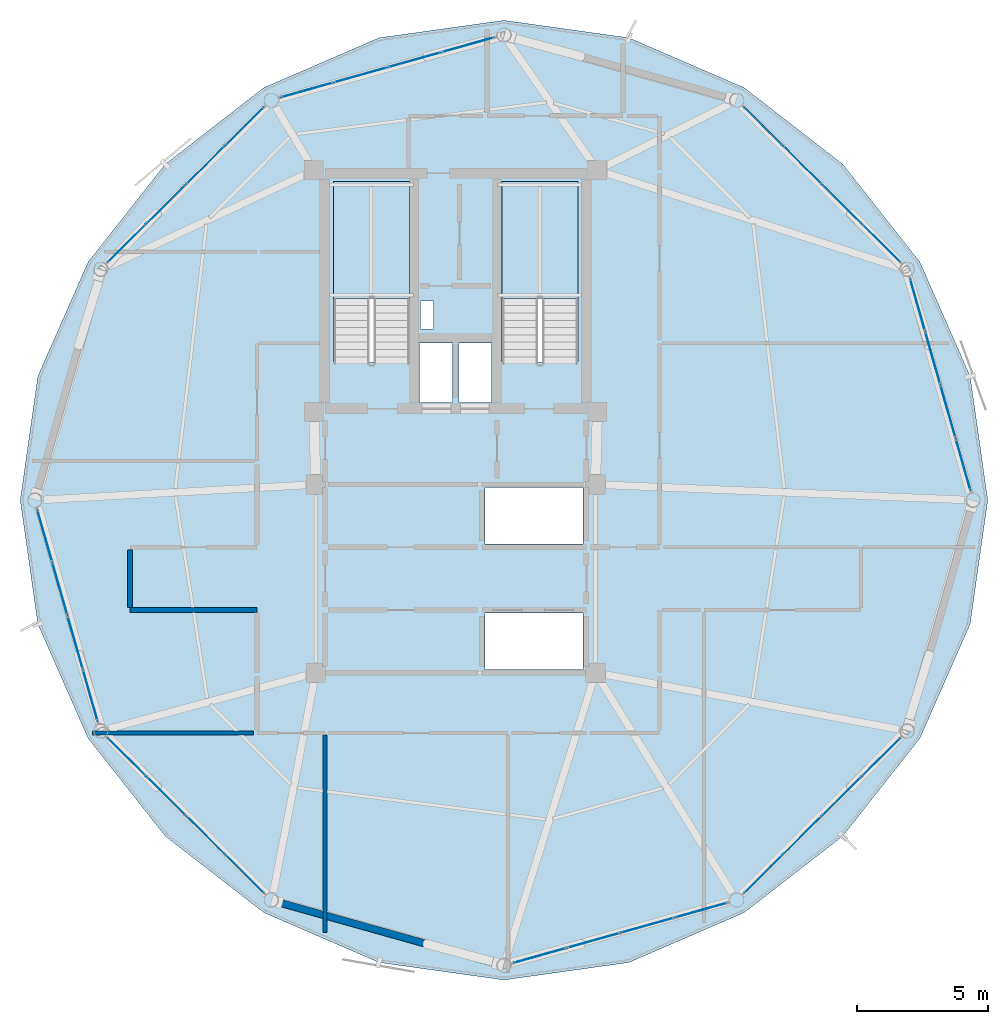
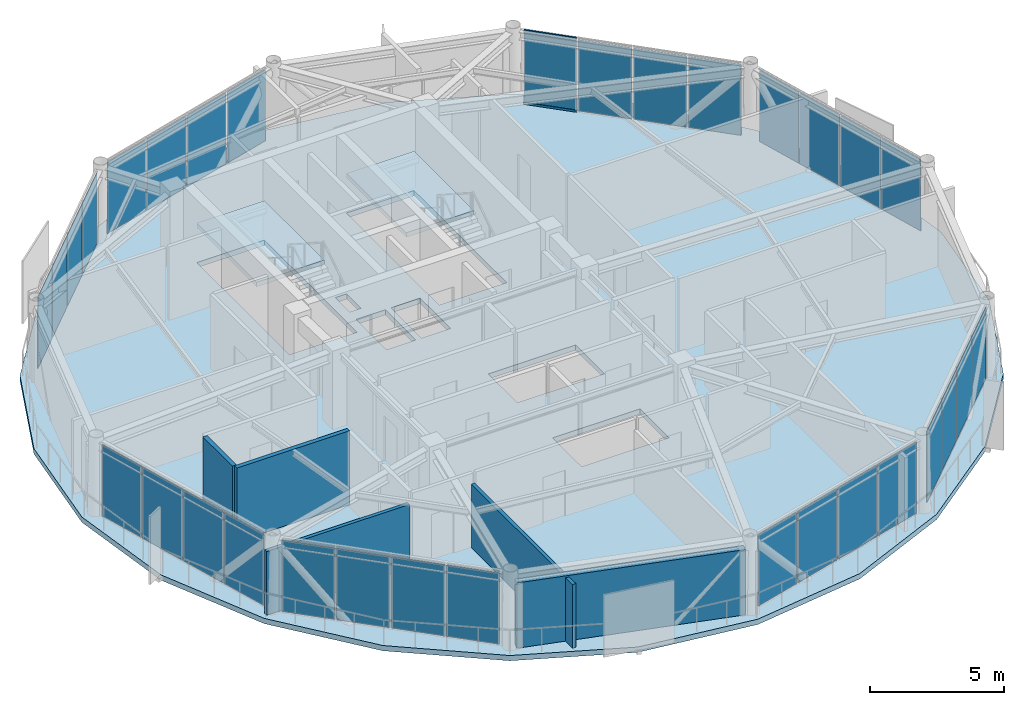
# One storey, part 18 of 25: 32 plates, 5 walls, 3 slabs, 2 members, 10 elements without a shape of their own.
"""IFC4 building model written with IfcOpenShell, lengths in metres."""

from ifc_helpers import new_model, si_unit, direction, frame, frame_2d, origin, origin_2d, place, context, subcontext, project, spatial, polyline, rectangle, hollow_rectangle, outline, extrude, source, transform, mapped, material, layer, layer_set, material_profile, profile_set, type_object, type_shapes, element, aggregate, save


model = new_model("IFC4")

# Units and contexts
model_context = context("Model", 3, precision=1e-05, world=origin(), true_north=direction((0.0, 1.0)))
body_context = subcontext(model_context, "Body", "Model", "MODEL_VIEW")
ifc_project = project(units=[si_unit("LENGTHUNIT", "METRE"), si_unit("AREAUNIT", "SQUARE_METRE"), si_unit("VOLUMEUNIT", "CUBIC_METRE"), si_unit("PLANEANGLEUNIT", "RADIAN"), si_unit("MASSUNIT", "GRAM", prefix="KILO")], contexts=[model_context])

# Site, building, storey
site_placement = place(None, origin())
site = spatial("IfcSite", under=ifc_project, at=site_placement, CompositionType="ELEMENT")
building_placement = place(site_placement, origin())
building = spatial("IfcBuilding", under=site, at=building_placement, Name="Varnakorn Sky Granary", CompositionType="ELEMENT")
storey_placement = place(building_placement, frame((0.0, 0.0, 277.800048828125)))
storey = spatial("IfcBuildingStorey", under=building, at=storey_placement, Name="L71", CompositionType="ELEMENT", Elevation=277.800048828125)

# Curtain wall, members
ifc_material_1 = material(Name="Anodised Bronze Aluminium Alloy 6063-T6", Category="aluminium")
ifc_layer_1 = layer(ifc_material_1, 0.159912109375, Name="Anodised Bronze Aluminium Alloy 6063-T6")
ifc_layer_set_1 = layer_set([ifc_layer_1], Name="Anodised Bronze Aluminium Alloy 6063-T6")
curtain_wall_type = type_object("IfcCurtainWallType", Name="CW-OFF-1", PredefinedType="USERDEFINED", material=ifc_layer_set_1)
curtain_wall_1_placement = place(storey_placement, origin())
curtain_wall_1 = element("IfcCurtainWall", 1, at=curtain_wall_1_placement, inside=storey, type_object=curtain_wall_type, Name="Unitised Curtain Wall CW6 CW-L71-B02", ObjectType="CURTAIN WALL", PredefinedType="USERDEFINED")
ifc_material_profile = material_profile(ifc_material_1, hollow_rectangle(XDim=0.06494140625, YDim=0.1201171875, WallThickness=0.00341796875, at=origin_2d()), Name="ALU TRAN 65x120")
ifc_profile_set = profile_set([ifc_material_profile], Name="Anodised Bronze Aluminium Alloy 6063-T6")
member_type = type_object("IfcMemberType", Name="CW-OFF-1-TRAN", PredefinedType="USERDEFINED", material=ifc_profile_set)
member_1_placement = place(storey_placement, frame((14.046142578125, 15.015380859375, 0.032470703125), z_axis=(0.71010880712, -0.704091955678, 0.0), x_axis=(0.704091955678, 0.71010880712, 0.0)))
member_1 = element("IfcMember", 2, at=member_1_placement, type_object=member_type, Name="CW6 transom 1.1", ObjectType="TRANSOM", PredefinedType="USERDEFINED", context=body_context, shape_type="SweptSolid", body=[
    extrude(hollow_rectangle(XDim=0.06494140625, YDim=0.1201171875, WallThickness=0.00341796875, at=origin_2d()), origin(), (0.0, 0.0, 1.0), 2.02880859375),
])
member_2_placement = place(storey_placement, frame((14.046142578125, 15.015380859375, 3.327392578125), z_axis=(0.71010880712, -0.704091955678, 0.0), x_axis=(0.704091955678, 0.71010880712, 0.0)))
member_2 = element("IfcMember", 3, at=member_2_placement, type_object=member_type, Name="CW6 transom 1.2", ObjectType="TRANSOM", PredefinedType="USERDEFINED", context=body_context, shape_type="SweptSolid", body=[
    extrude(hollow_rectangle(XDim=0.06494140625, YDim=0.1201171875, WallThickness=0.00341796875, at=origin_2d()), origin(), (0.0, 0.0, 1.0), 2.02880859375),
])

# Stair, slab
ifc_material_2 = material(Name="Concrete C40/50", Category="concrete")
stair_type = type_object("IfcStairType", Name="ST-MAIN-ASSEMBLY", PredefinedType="HALF_TURN_STAIR", material=ifc_material_2)
stair_1_placement = place(storey_placement, origin())
stair_1 = element("IfcStair", 4, at=stair_1_placement, inside=storey, type_object=stair_type, Name="L71 Protected Exit Stair ST-1", PredefinedType="HALF_TURN_STAIR")
ifc_layer_2 = layer(ifc_material_2, 0.199951171875, Name="Concrete C40/50")
ifc_layer_set_2 = layer_set([ifc_layer_2], Name="Concrete C40/50")
slab_type_1 = type_object("IfcSlabType", Name="ST-MAIN-LAND", PredefinedType="LANDING", material=ifc_layer_set_2)
slab_1_placement = place(storey_placement, frame((0.0, 0.0, 1.599853515625)))
slab_1 = element("IfcSlab", 5, at=slab_1_placement, type_object=slab_type_1, Name="ST-1 landing 1", PredefinedType="LANDING", context=body_context, shape_type="SweptSolid", body=[
    extrude(outline(polyline([(1.239990234375, 7.719970703125), (1.239990234375, 12.179931640625), (-1.669921875, 12.179931640625), (-1.669921875, 7.719970703125), (1.239990234375, 7.719970703125)])), origin(), (0.0, 0.0, 1.0), 0.2001953125),
])
aggregate(stair_1, [slab_1])

stair_2_placement = place(storey_placement, origin())
stair_2 = element("IfcStair", 6, at=stair_2_placement, inside=storey, type_object=stair_type, Name="L71 Protected Exit Stair ST-2", PredefinedType="HALF_TURN_STAIR")
slab_2_placement = place(storey_placement, frame((0.0, 0.0, 1.599853515625)))
slab_2 = element("IfcSlab", 7, at=slab_2_placement, type_object=slab_type_1, Name="ST-2 landing 1", PredefinedType="LANDING", context=body_context, shape_type="SweptSolid", body=[
    extrude(outline(polyline([(7.679931640625, 7.719970703125), (7.679931640625, 12.179931640625), (4.77001953125, 12.179931640625), (4.77001953125, 7.719970703125), (7.679931640625, 7.719970703125)])), origin(), (0.0, 0.0, 1.0), 0.2001953125),
])
aggregate(stair_2, [slab_2])

# Slab
ifc_material_3 = material(Name="Concrete C50/60", Category="concrete")
ifc_layer_3 = layer(ifc_material_3, 0.239990234375, Name="Concrete C50/60")
ifc_layer_set_3 = layer_set([ifc_layer_3], Name="Concrete C50/60")
slab_type_2 = type_object("IfcSlabType", Name="ST-SL-TWR-240", PredefinedType="FLOOR", material=ifc_layer_set_3)
slab_3_placement = place(storey_placement, frame((0.0, 0.0, -0.239990234375)))
element("IfcSlab", 8, at=slab_3_placement, inside=storey, type_object=slab_type_2, Name="Level L71 Structural Floor Slab", PredefinedType="FLOOR", context=body_context, shape_type="SweptSolid", body=[
    extrude(outline(polyline([(23.35302734375, 0.0), (22.67919921875, 4.73828125), (20.757080078125, 9.1083984375), (17.806396484375, 12.849609375), (14.033935546875, 15.7763671875), (9.627197265625, 17.68310546875), (4.85009765625, 18.35205078125), (0.07275390625, 17.68310546875), (-4.333984375, 15.7763671875), (-8.106201171875, 12.849609375), (-11.05712890625, 9.1083984375), (-12.97900390625, 4.73828125), (-13.653076171875, 0.0), (-12.97900390625, -4.73828125), (-11.05712890625, -9.1083984375), (-8.106201171875, -12.849609375), (-4.333984375, -15.7763671875), (0.07275390625, -17.68310546875), (4.85009765625, -18.35205078125), (9.627197265625, -17.68310546875), (14.033935546875, -15.7763671875), (17.806396484375, -12.849609375), (20.757080078125, -9.1083984375), (22.67919921875, -4.73828125), (23.35302734375, 0.0)]), holes=[polyline([(1.239990234375, 5.27490234375), (1.239990234375, 12.179931640625), (-1.669921875, 12.179931640625), (-1.669921875, 5.27490234375), (1.239990234375, 5.27490234375)]), polyline([(7.679931640625, 5.27490234375), (7.679931640625, 12.179931640625), (4.77001953125, 12.179931640625), (4.77001953125, 5.27490234375), (7.679931640625, 5.27490234375)]), polyline([(1.659912109375, 6.550048828125), (2.14990234375, 6.550048828125), (2.14990234375, 7.6201171875), (1.659912109375, 7.6201171875), (1.659912109375, 6.550048828125)]), polyline([(1.6201171875, 3.739990234375), (2.8798828125, 3.739990234375), (2.8798828125, 6.010009765625), (1.6201171875, 6.010009765625), (1.6201171875, 3.739990234375)]), polyline([(3.1201171875, 3.739990234375), (4.3798828125, 3.739990234375), (4.3798828125, 6.010009765625), (3.1201171875, 6.010009765625), (3.1201171875, 3.739990234375)]), polyline([(4.1201171875, -1.679931640625), (7.8798828125, -1.679931640625), (7.8798828125, 0.47998046875), (4.1201171875, 0.47998046875), (4.1201171875, -1.679931640625)]), polyline([(4.1201171875, -6.47998046875), (7.8798828125, -6.47998046875), (7.8798828125, -4.320068359375), (4.1201171875, -4.320068359375), (4.1201171875, -6.47998046875)])]), origin(), (0.0, 0.0, 1.0), 0.239990234375),
])

# Curtain wall, plates
curtain_wall_2_placement = place(storey_placement, origin())
curtain_wall_2 = element("IfcCurtainWall", 9, at=curtain_wall_2_placement, inside=storey, type_object=curtain_wall_type, Name="Unitised Curtain Wall CW6 CW-L71-B01", ObjectType="CURTAIN WALL", PredefinedType="USERDEFINED")
ifc_material_4 = material(Name="Opaque Insulated Aluminium Shadow-Box Unit", Category="aluminium")
ifc_layer_4 = layer(ifc_material_4, 0.02392578125, Name="Opaque Insulated Aluminium Shadow-Box Unit")
ifc_layer_set_4 = layer_set([ifc_layer_4], Name="Opaque Insulated Aluminium Shadow-Box Unit")
plate_type = type_object("IfcPlateType", Name="CW-OFF-1-PNL", PredefinedType="CURTAIN_PANEL")
shared_shape_1 = source(origin(), body_context, "Body", "SweptSolid", [
    extrude(rectangle(XDim=2.061767578125, YDim=0.02392578125, at=origin_2d()), origin(), (0.0, 0.0, 1.0), 3.22998046875),
])
plate_1_placement = place(storey_placement, frame((21.25, 5.439208984375, 0.06494140625), z_axis=(0.0, 0.0, 1.0), x_axis=(0.274559667128, -0.961570064627, 0.0)))
plate_1 = element("IfcPlate", 10, at=plate_1_placement, type_object=plate_type, material=ifc_layer_set_4, Name="CW6 opaque insulated shadow-box unit 2.1", PredefinedType="CURTAIN_PANEL", context=body_context, shape_type="MappedRepresentation", body=[
    mapped(shared_shape_1, transform((0.0, 0.0, 0.0), x_axis=(1.0, 0.0, 0.0), y_axis=(0.0, 1.0, 0.0), z_axis=(0.0, 0.0, 1.0), scale=1.0)),
])
ifc_material_5 = material(Name="Low-E Tinted Laminated Glass", Category="glass")
ifc_layer_5 = layer(ifc_material_5, 0.02392578125, Name="Low-E Tinted Laminated Glass")
ifc_layer_set_5 = layer_set([ifc_layer_5], Name="Low-E Tinted Laminated Glass")
plate_2_placement = place(storey_placement, frame((21.833984375, 3.394287109375, 0.06494140625), z_axis=(0.0, 0.0, 1.0), x_axis=(0.274559667128, -0.961570064627, 0.0)))
plate_2 = element("IfcPlate", 11, at=plate_2_placement, type_object=plate_type, material=ifc_layer_set_5, Name="CW6 vision glazing unit 3.1", PredefinedType="CURTAIN_PANEL", context=body_context, shape_type="MappedRepresentation", body=[
    mapped(shared_shape_1, transform((0.0, 0.0, 0.0), x_axis=(1.0, 0.0, 0.0), y_axis=(0.0, 1.0, 0.0), z_axis=(0.0, 0.0, 1.0), scale=1.0)),
])

curtain_wall_3_placement = place(storey_placement, origin())
curtain_wall_3 = element("IfcCurtainWall", 12, at=curtain_wall_3_placement, inside=storey, type_object=curtain_wall_type, Name="Unitised Curtain Wall CW6 CW-L71-B07", ObjectType="CURTAIN WALL", PredefinedType="USERDEFINED")
plate_3_placement = place(storey_placement, frame((-11.5498046875, -5.439208984375, 0.06494140625), z_axis=(0.0, 0.0, 1.0), x_axis=(-0.274559667128, 0.961570064627, 0.0)))
plate_3 = element("IfcPlate", 13, at=plate_3_placement, type_object=plate_type, material=ifc_layer_set_4, Name="CW6 opaque insulated shadow-box unit 2.1", PredefinedType="CURTAIN_PANEL", context=body_context, shape_type="MappedRepresentation", body=[
    mapped(shared_shape_1, transform((0.0, 0.0, 0.0), x_axis=(1.0, 0.0, 0.0), y_axis=(0.0, 1.0, 0.0), z_axis=(0.0, 0.0, 1.0), scale=1.0)),
])
plate_4_placement = place(storey_placement, frame((-12.1337890625, -3.394287109375, 0.06494140625), z_axis=(0.0, 0.0, 1.0), x_axis=(-0.274559667128, 0.961570064627, 0.0)))
plate_4 = element("IfcPlate", 14, at=plate_4_placement, type_object=plate_type, material=ifc_layer_set_5, Name="CW6 vision glazing unit 3.1", PredefinedType="CURTAIN_PANEL", context=body_context, shape_type="MappedRepresentation", body=[
    mapped(shared_shape_1, transform((0.0, 0.0, 0.0), x_axis=(1.0, 0.0, 0.0), y_axis=(0.0, 1.0, 0.0), z_axis=(0.0, 0.0, 1.0), scale=1.0)),
])

# Plate
shared_shape_2 = source(origin(), body_context, "Body", "SweptSolid", [
    extrude(rectangle(XDim=2.029296875, YDim=0.02392578125, at=origin_2d()), origin(), (0.0, 0.0, 1.0), 3.22998046875),
])
plate_5_placement = place(storey_placement, frame((20.67041015625, 7.46875, 0.06494140625), z_axis=(0.0, 0.0, 1.0), x_axis=(0.274559667128, -0.961570064627, 0.0)))
plate_5 = element("IfcPlate", 15, at=plate_5_placement, type_object=plate_type, material=ifc_layer_set_4, Name="CW6 opaque insulated shadow-box unit 1.1", PredefinedType="CURTAIN_PANEL", context=body_context, shape_type="MappedRepresentation", body=[
    mapped(shared_shape_2, transform((0.0, 0.0, 0.0), x_axis=(1.0, 0.0, 0.0), y_axis=(0.0, 1.0, 0.0), z_axis=(0.0, 0.0, 1.0), scale=1.0)),
])

plate_6_placement = place(storey_placement, frame((22.413330078125, 1.36474609375, 0.06494140625), z_axis=(0.0, 0.0, 1.0), x_axis=(0.274559667128, -0.961570064627, 0.0)))
plate_6 = element("IfcPlate", 16, at=plate_6_placement, type_object=plate_type, material=ifc_layer_set_5, Name="CW6 vision glazing unit 4.1", PredefinedType="CURTAIN_PANEL", context=body_context, shape_type="MappedRepresentation", body=[
    mapped(shared_shape_2, transform((0.0, 0.0, 0.0), x_axis=(1.0, 0.0, 0.0), y_axis=(0.0, 1.0, 0.0), z_axis=(0.0, 0.0, 1.0), scale=1.0)),
])

aggregate(curtain_wall_2, [plate_5, plate_1, plate_2, plate_6])

plate_7_placement = place(storey_placement, frame((-10.970458984375, -7.46875, 0.06494140625), z_axis=(0.0, 0.0, 1.0), x_axis=(-0.274559667128, 0.961570064627, 0.0)))
plate_7 = element("IfcPlate", 17, at=plate_7_placement, type_object=plate_type, material=ifc_layer_set_4, Name="CW6 opaque insulated shadow-box unit 1.1", PredefinedType="CURTAIN_PANEL", context=body_context, shape_type="MappedRepresentation", body=[
    mapped(shared_shape_2, transform((0.0, 0.0, 0.0), x_axis=(1.0, 0.0, 0.0), y_axis=(0.0, 1.0, 0.0), z_axis=(0.0, 0.0, 1.0), scale=1.0)),
])

plate_8_placement = place(storey_placement, frame((-12.71337890625, -1.36474609375, 0.06494140625), z_axis=(0.0, 0.0, 1.0), x_axis=(-0.274559667128, 0.961570064627, 0.0)))
plate_8 = element("IfcPlate", 18, at=plate_8_placement, type_object=plate_type, material=ifc_layer_set_5, Name="CW6 vision glazing unit 4.1", PredefinedType="CURTAIN_PANEL", context=body_context, shape_type="MappedRepresentation", body=[
    mapped(shared_shape_2, transform((0.0, 0.0, 0.0), x_axis=(1.0, 0.0, 0.0), y_axis=(0.0, 1.0, 0.0), z_axis=(0.0, 0.0, 1.0), scale=1.0)),
])

aggregate(curtain_wall_3, [plate_7, plate_3, plate_4, plate_8])

shared_shape_3 = source(origin(), body_context, "Body", "SweptSolid", [
    extrude(rectangle(XDim=2.02880859375, YDim=0.02392578125, at=origin_2d()), origin(), (0.0, 0.0, 1.0), 3.22998046875),
])
plate_9_placement = place(storey_placement, frame((14.7666015625, 14.301025390625, 0.06494140625), z_axis=(0.0, 0.0, 1.0), x_axis=(0.71009855632, -0.704102293926, 0.0)))
plate_9 = element("IfcPlate", 19, at=plate_9_placement, type_object=plate_type, material=ifc_layer_set_5, Name="CW6 vision glazing unit 1.1", PredefinedType="CURTAIN_PANEL", context=body_context, shape_type="MappedRepresentation", body=[
    mapped(shared_shape_3, transform((0.0, 0.0, 0.0), x_axis=(1.0, 0.0, 0.0), y_axis=(0.0, 1.0, 0.0), z_axis=(0.0, 0.0, 1.0), scale=1.0)),
])

plate_10_placement = place(storey_placement, frame((19.273193359375, 9.83251953125, 0.06494140625), z_axis=(0.0, 0.0, 1.0), x_axis=(0.71009855632, -0.704102293926, 0.0)))
plate_10 = element("IfcPlate", 20, at=plate_10_placement, type_object=plate_type, material=ifc_layer_set_4, Name="CW6 opaque insulated shadow-box unit 4.1", PredefinedType="CURTAIN_PANEL", context=body_context, shape_type="MappedRepresentation", body=[
    mapped(shared_shape_3, transform((0.0, 0.0, 0.0), x_axis=(1.0, 0.0, 0.0), y_axis=(0.0, 1.0, 0.0), z_axis=(0.0, 0.0, 1.0), scale=1.0)),
])

# Curtain wall, plates
curtain_wall_4_placement = place(storey_placement, origin())
curtain_wall_4 = element("IfcCurtainWall", 21, at=curtain_wall_4_placement, inside=storey, type_object=curtain_wall_type, Name="Unitised Curtain Wall CW6 CW-L71-B05", ObjectType="CURTAIN WALL", PredefinedType="USERDEFINED")
plate_11_placement = place(storey_placement, frame((-9.5732421875, 9.83251953125, 0.06494140625), z_axis=(0.0, 0.0, 1.0), x_axis=(0.71009855632, 0.704102293926, 0.0)))
plate_11 = element("IfcPlate", 22, at=plate_11_placement, type_object=plate_type, material=ifc_layer_set_4, Name="CW6 opaque insulated shadow-box unit 1.1", PredefinedType="CURTAIN_PANEL", context=body_context, shape_type="MappedRepresentation", body=[
    mapped(shared_shape_3, transform((0.0, 0.0, 0.0), x_axis=(1.0, 0.0, 0.0), y_axis=(0.0, 1.0, 0.0), z_axis=(0.0, 0.0, 1.0), scale=1.0)),
])
plate_12_placement = place(storey_placement, frame((-5.066650390625, 14.301025390625, 0.06494140625), z_axis=(0.0, 0.0, 1.0), x_axis=(0.71009855632, 0.704102293926, 0.0)))
plate_12 = element("IfcPlate", 23, at=plate_12_placement, type_object=plate_type, material=ifc_layer_set_5, Name="CW6 vision glazing unit 4.1", PredefinedType="CURTAIN_PANEL", context=body_context, shape_type="MappedRepresentation", body=[
    mapped(shared_shape_3, transform((0.0, 0.0, 0.0), x_axis=(1.0, 0.0, 0.0), y_axis=(0.0, 1.0, 0.0), z_axis=(0.0, 0.0, 1.0), scale=1.0)),
])

curtain_wall_5_placement = place(storey_placement, origin())
curtain_wall_5 = element("IfcCurtainWall", 24, at=curtain_wall_5_placement, inside=storey, type_object=curtain_wall_type, Name="Unitised Curtain Wall CW6 CW-L71-B08", ObjectType="CURTAIN WALL", PredefinedType="USERDEFINED")
plate_13_placement = place(storey_placement, frame((-5.066650390625, -14.301025390625, 0.06494140625), z_axis=(0.0, 0.0, 1.0), x_axis=(-0.71009855632, 0.704102293926, 0.0)))
plate_13 = element("IfcPlate", 25, at=plate_13_placement, type_object=plate_type, material=ifc_layer_set_5, Name="CW6 vision glazing unit 1.1", PredefinedType="CURTAIN_PANEL", context=body_context, shape_type="MappedRepresentation", body=[
    mapped(shared_shape_3, transform((0.0, 0.0, 0.0), x_axis=(1.0, 0.0, 0.0), y_axis=(0.0, 1.0, 0.0), z_axis=(0.0, 0.0, 1.0), scale=1.0)),
])
plate_14_placement = place(storey_placement, frame((-9.5732421875, -9.83251953125, 0.06494140625), z_axis=(0.0, 0.0, 1.0), x_axis=(-0.71009855632, 0.704102293926, 0.0)))
plate_14 = element("IfcPlate", 26, at=plate_14_placement, type_object=plate_type, material=ifc_layer_set_4, Name="CW6 opaque insulated shadow-box unit 4.1", PredefinedType="CURTAIN_PANEL", context=body_context, shape_type="MappedRepresentation", body=[
    mapped(shared_shape_3, transform((0.0, 0.0, 0.0), x_axis=(1.0, 0.0, 0.0), y_axis=(0.0, 1.0, 0.0), z_axis=(0.0, 0.0, 1.0), scale=1.0)),
])

curtain_wall_6_placement = place(storey_placement, origin())
curtain_wall_6 = element("IfcCurtainWall", 27, at=curtain_wall_6_placement, inside=storey, type_object=curtain_wall_type, Name="Unitised Curtain Wall CW6 CW-L71-B11", ObjectType="CURTAIN WALL", PredefinedType="USERDEFINED")
plate_15_placement = place(storey_placement, frame((19.273193359375, -9.83251953125, 0.06494140625), z_axis=(0.0, 0.0, 1.0), x_axis=(-0.71009855632, -0.704102293926, 0.0)))
plate_15 = element("IfcPlate", 28, at=plate_15_placement, type_object=plate_type, material=ifc_layer_set_4, Name="CW6 opaque insulated shadow-box unit 1.1", PredefinedType="CURTAIN_PANEL", context=body_context, shape_type="MappedRepresentation", body=[
    mapped(shared_shape_3, transform((0.0, 0.0, 0.0), x_axis=(1.0, 0.0, 0.0), y_axis=(0.0, 1.0, 0.0), z_axis=(0.0, 0.0, 1.0), scale=1.0)),
])
plate_16_placement = place(storey_placement, frame((14.7666015625, -14.301025390625, 0.06494140625), z_axis=(0.0, 0.0, 1.0), x_axis=(-0.71009855632, -0.704102293926, 0.0)))
plate_16 = element("IfcPlate", 29, at=plate_16_placement, type_object=plate_type, material=ifc_layer_set_5, Name="CW6 vision glazing unit 4.1", PredefinedType="CURTAIN_PANEL", context=body_context, shape_type="MappedRepresentation", body=[
    mapped(shared_shape_3, transform((0.0, 0.0, 0.0), x_axis=(1.0, 0.0, 0.0), y_axis=(0.0, 1.0, 0.0), z_axis=(0.0, 0.0, 1.0), scale=1.0)),
])

# Plate
shared_shape_4 = source(origin(), body_context, "Body", "SweptSolid", [
    extrude(rectangle(XDim=2.061279296875, YDim=0.02392578125, at=origin_2d()), origin(), (0.0, 0.0, 1.0), 3.22998046875),
])
plate_17_placement = place(storey_placement, frame((16.264892578125, 12.8154296875, 0.06494140625), z_axis=(0.0, 0.0, 1.0), x_axis=(0.71009855632, -0.704102293926, 0.0)))
plate_17 = element("IfcPlate", 30, at=plate_17_placement, type_object=plate_type, material=ifc_layer_set_5, Name="CW6 vision glazing unit 2.1", PredefinedType="CURTAIN_PANEL", context=body_context, shape_type="MappedRepresentation", body=[
    mapped(shared_shape_4, transform((0.0, 0.0, 0.0), x_axis=(1.0, 0.0, 0.0), y_axis=(0.0, 1.0, 0.0), z_axis=(0.0, 0.0, 1.0), scale=1.0)),
])

plate_18_placement = place(storey_placement, frame((17.77490234375, 11.318115234375, 0.06494140625), z_axis=(0.0, 0.0, 1.0), x_axis=(0.71009855632, -0.704102293926, 0.0)))
plate_18 = element("IfcPlate", 31, at=plate_18_placement, type_object=plate_type, material=ifc_layer_set_4, Name="CW6 opaque insulated shadow-box unit 3.1", PredefinedType="CURTAIN_PANEL", context=body_context, shape_type="MappedRepresentation", body=[
    mapped(shared_shape_4, transform((0.0, 0.0, 0.0), x_axis=(1.0, 0.0, 0.0), y_axis=(0.0, 1.0, 0.0), z_axis=(0.0, 0.0, 1.0), scale=1.0)),
])

aggregate(curtain_wall_1, [member_1, member_2, plate_9, plate_17, plate_18, plate_10])

plate_19_placement = place(storey_placement, frame((-8.074951171875, 11.318115234375, 0.06494140625), z_axis=(0.0, 0.0, 1.0), x_axis=(0.71009855632, 0.704102293926, 0.0)))
plate_19 = element("IfcPlate", 32, at=plate_19_placement, type_object=plate_type, material=ifc_layer_set_4, Name="CW6 opaque insulated shadow-box unit 2.1", PredefinedType="CURTAIN_PANEL", context=body_context, shape_type="MappedRepresentation", body=[
    mapped(shared_shape_4, transform((0.0, 0.0, 0.0), x_axis=(1.0, 0.0, 0.0), y_axis=(0.0, 1.0, 0.0), z_axis=(0.0, 0.0, 1.0), scale=1.0)),
])

plate_20_placement = place(storey_placement, frame((-6.56494140625, 12.8154296875, 0.06494140625), z_axis=(0.0, 0.0, 1.0), x_axis=(0.71009855632, 0.704102293926, 0.0)))
plate_20 = element("IfcPlate", 33, at=plate_20_placement, type_object=plate_type, material=ifc_layer_set_5, Name="CW6 vision glazing unit 3.1", PredefinedType="CURTAIN_PANEL", context=body_context, shape_type="MappedRepresentation", body=[
    mapped(shared_shape_4, transform((0.0, 0.0, 0.0), x_axis=(1.0, 0.0, 0.0), y_axis=(0.0, 1.0, 0.0), z_axis=(0.0, 0.0, 1.0), scale=1.0)),
])

aggregate(curtain_wall_4, [plate_11, plate_19, plate_20, plate_12])

plate_21_placement = place(storey_placement, frame((-6.56494140625, -12.8154296875, 0.06494140625), z_axis=(0.0, 0.0, 1.0), x_axis=(-0.71009855632, 0.704102293926, 0.0)))
plate_21 = element("IfcPlate", 34, at=plate_21_placement, type_object=plate_type, material=ifc_layer_set_5, Name="CW6 vision glazing unit 2.1", PredefinedType="CURTAIN_PANEL", context=body_context, shape_type="MappedRepresentation", body=[
    mapped(shared_shape_4, transform((0.0, 0.0, 0.0), x_axis=(1.0, 0.0, 0.0), y_axis=(0.0, 1.0, 0.0), z_axis=(0.0, 0.0, 1.0), scale=1.0)),
])

plate_22_placement = place(storey_placement, frame((-8.074951171875, -11.318115234375, 0.06494140625), z_axis=(0.0, 0.0, 1.0), x_axis=(-0.71009855632, 0.704102293926, 0.0)))
plate_22 = element("IfcPlate", 35, at=plate_22_placement, type_object=plate_type, material=ifc_layer_set_4, Name="CW6 opaque insulated shadow-box unit 3.1", PredefinedType="CURTAIN_PANEL", context=body_context, shape_type="MappedRepresentation", body=[
    mapped(shared_shape_4, transform((0.0, 0.0, 0.0), x_axis=(1.0, 0.0, 0.0), y_axis=(0.0, 1.0, 0.0), z_axis=(0.0, 0.0, 1.0), scale=1.0)),
])

aggregate(curtain_wall_5, [plate_13, plate_21, plate_22, plate_14])

plate_23_placement = place(storey_placement, frame((17.77490234375, -11.318115234375, 0.06494140625), z_axis=(0.0, 0.0, 1.0), x_axis=(-0.71009855632, -0.704102293926, 0.0)))
plate_23 = element("IfcPlate", 36, at=plate_23_placement, type_object=plate_type, material=ifc_layer_set_4, Name="CW6 opaque insulated shadow-box unit 2.1", PredefinedType="CURTAIN_PANEL", context=body_context, shape_type="MappedRepresentation", body=[
    mapped(shared_shape_4, transform((0.0, 0.0, 0.0), x_axis=(1.0, 0.0, 0.0), y_axis=(0.0, 1.0, 0.0), z_axis=(0.0, 0.0, 1.0), scale=1.0)),
])

plate_24_placement = place(storey_placement, frame((16.264892578125, -12.8154296875, 0.06494140625), z_axis=(0.0, 0.0, 1.0), x_axis=(-0.71009855632, -0.704102293926, 0.0)))
plate_24 = element("IfcPlate", 37, at=plate_24_placement, type_object=plate_type, material=ifc_layer_set_5, Name="CW6 vision glazing unit 3.1", PredefinedType="CURTAIN_PANEL", context=body_context, shape_type="MappedRepresentation", body=[
    mapped(shared_shape_4, transform((0.0, 0.0, 0.0), x_axis=(1.0, 0.0, 0.0), y_axis=(0.0, 1.0, 0.0), z_axis=(0.0, 0.0, 1.0), scale=1.0)),
])

aggregate(curtain_wall_6, [plate_15, plate_23, plate_24, plate_16])

# Curtain wall, plates
curtain_wall_7_placement = place(storey_placement, origin())
curtain_wall_7 = element("IfcCurtainWall", 38, at=curtain_wall_7_placement, inside=storey, type_object=curtain_wall_type, Name="Unitised Curtain Wall CW6 CW-L71-B04", ObjectType="CURTAIN WALL", PredefinedType="USERDEFINED")
shared_shape_5 = source(origin(), body_context, "Body", "SweptSolid", [
    extrude(rectangle(XDim=2.046142578125, YDim=0.02392578125, at=origin_2d()), origin(), (0.0, 0.0, 1.0), 3.22998046875),
])
plate_25_placement = place(storey_placement, frame((-2.6845703125, 15.68603515625, 0.06494140625), z_axis=(0.0, 0.0, 1.0), x_axis=(0.962756493637, 0.270369994564, 0.0)))
plate_25 = element("IfcPlate", 39, at=plate_25_placement, type_object=plate_type, material=ifc_layer_set_5, Name="CW6 vision glazing unit 1.1", PredefinedType="CURTAIN_PANEL", context=body_context, shape_type="MappedRepresentation", body=[
    mapped(shared_shape_5, transform((0.0, 0.0, 0.0), x_axis=(1.0, 0.0, 0.0), y_axis=(0.0, 1.0, 0.0), z_axis=(0.0, 0.0, 1.0), scale=1.0)),
])
plate_26_placement = place(storey_placement, frame((3.4755859375, 17.416015625, 0.06494140625), z_axis=(0.0, 0.0, 1.0), x_axis=(0.962756493637, 0.270369994564, 0.0)))
plate_26 = element("IfcPlate", 40, at=plate_26_placement, type_object=plate_type, material=ifc_layer_set_4, Name="CW6 opaque insulated shadow-box unit 4.1", PredefinedType="CURTAIN_PANEL", context=body_context, shape_type="MappedRepresentation", body=[
    mapped(shared_shape_5, transform((0.0, 0.0, 0.0), x_axis=(1.0, 0.0, 0.0), y_axis=(0.0, 1.0, 0.0), z_axis=(0.0, 0.0, 1.0), scale=1.0)),
])

curtain_wall_8_placement = place(storey_placement, origin())
curtain_wall_8 = element("IfcCurtainWall", 41, at=curtain_wall_8_placement, inside=storey, type_object=curtain_wall_type, Name="Unitised Curtain Wall CW6 CW-L71-B10", ObjectType="CURTAIN WALL", PredefinedType="USERDEFINED")
plate_27_placement = place(storey_placement, frame((12.384521484375, -15.68603515625, 0.06494140625), z_axis=(0.0, 0.0, 1.0), x_axis=(-0.962756493637, -0.270369994564, 0.0)))
plate_27 = element("IfcPlate", 42, at=plate_27_placement, type_object=plate_type, material=ifc_layer_set_5, Name="CW6 vision glazing unit 1.1", PredefinedType="CURTAIN_PANEL", context=body_context, shape_type="MappedRepresentation", body=[
    mapped(shared_shape_5, transform((0.0, 0.0, 0.0), x_axis=(1.0, 0.0, 0.0), y_axis=(0.0, 1.0, 0.0), z_axis=(0.0, 0.0, 1.0), scale=1.0)),
])
plate_28_placement = place(storey_placement, frame((6.224365234375, -17.416015625, 0.06494140625), z_axis=(0.0, 0.0, 1.0), x_axis=(-0.962756493637, -0.270369994564, 0.0)))
plate_28 = element("IfcPlate", 43, at=plate_28_placement, type_object=plate_type, material=ifc_layer_set_4, Name="CW6 opaque insulated shadow-box unit 4.1", PredefinedType="CURTAIN_PANEL", context=body_context, shape_type="MappedRepresentation", body=[
    mapped(shared_shape_5, transform((0.0, 0.0, 0.0), x_axis=(1.0, 0.0, 0.0), y_axis=(0.0, 1.0, 0.0), z_axis=(0.0, 0.0, 1.0), scale=1.0)),
])

# Plate
shared_shape_6 = source(origin(), body_context, "Body", "SweptSolid", [
    extrude(rectangle(XDim=2.07861328125, YDim=0.02392578125, at=origin_2d()), origin(), (0.0, 0.0, 1.0), 3.22998046875),
])
type_shapes(plate_type, [shared_shape_1, shared_shape_2, shared_shape_3, shared_shape_4, shared_shape_5, shared_shape_6])
plate_29_placement = place(storey_placement, frame((-0.636474609375, 16.26123046875, 0.06494140625), z_axis=(0.0, 0.0, 1.0), x_axis=(0.962756493637, 0.270369994564, 0.0)))
plate_29 = element("IfcPlate", 44, at=plate_29_placement, type_object=plate_type, material=ifc_layer_set_5, Name="CW6 vision glazing unit 2.1", PredefinedType="CURTAIN_PANEL", context=body_context, shape_type="MappedRepresentation", body=[
    mapped(shared_shape_6, transform((0.0, 0.0, 0.0), x_axis=(1.0, 0.0, 0.0), y_axis=(0.0, 1.0, 0.0), z_axis=(0.0, 0.0, 1.0), scale=1.0)),
])

plate_30_placement = place(storey_placement, frame((1.427490234375, 16.8408203125, 0.06494140625), z_axis=(0.0, 0.0, 1.0), x_axis=(0.962756493637, 0.270369994564, 0.0)))
plate_30 = element("IfcPlate", 45, at=plate_30_placement, type_object=plate_type, material=ifc_layer_set_4, Name="CW6 opaque insulated shadow-box unit 3.1", PredefinedType="CURTAIN_PANEL", context=body_context, shape_type="MappedRepresentation", body=[
    mapped(shared_shape_6, transform((0.0, 0.0, 0.0), x_axis=(1.0, 0.0, 0.0), y_axis=(0.0, 1.0, 0.0), z_axis=(0.0, 0.0, 1.0), scale=1.0)),
])

aggregate(curtain_wall_7, [plate_25, plate_29, plate_30, plate_26])

plate_31_placement = place(storey_placement, frame((10.33642578125, -16.26123046875, 0.06494140625), z_axis=(0.0, 0.0, 1.0), x_axis=(-0.962756493637, -0.270369994564, 0.0)))
plate_31 = element("IfcPlate", 46, at=plate_31_placement, type_object=plate_type, material=ifc_layer_set_5, Name="CW6 vision glazing unit 2.1", PredefinedType="CURTAIN_PANEL", context=body_context, shape_type="MappedRepresentation", body=[
    mapped(shared_shape_6, transform((0.0, 0.0, 0.0), x_axis=(1.0, 0.0, 0.0), y_axis=(0.0, 1.0, 0.0), z_axis=(0.0, 0.0, 1.0), scale=1.0)),
])

plate_32_placement = place(storey_placement, frame((8.272705078125, -16.8408203125, 0.06494140625), z_axis=(0.0, 0.0, 1.0), x_axis=(-0.962756493637, -0.270369994564, 0.0)))
plate_32 = element("IfcPlate", 47, at=plate_32_placement, type_object=plate_type, material=ifc_layer_set_4, Name="CW6 opaque insulated shadow-box unit 3.1", PredefinedType="CURTAIN_PANEL", context=body_context, shape_type="MappedRepresentation", body=[
    mapped(shared_shape_6, transform((0.0, 0.0, 0.0), x_axis=(1.0, 0.0, 0.0), y_axis=(0.0, 1.0, 0.0), z_axis=(0.0, 0.0, 1.0), scale=1.0)),
])

aggregate(curtain_wall_8, [plate_27, plate_31, plate_32, plate_28])

# Walls
ifc_material_6 = material(Name="Precast concrete C40/50", Category="concrete")
ifc_layer_6 = layer(ifc_material_6, 0.280029296875, Name="Precast concrete C40/50")
ifc_layer_set_6 = layer_set([ifc_layer_6], Name="Precast concrete C40/50")
wall_type_1 = type_object("IfcWallType", Name="WT-EW-CRN-280", PredefinedType="SOLIDWALL", material=ifc_layer_set_6)
wall_1_placement = place(storey_placement, frame((4.624267578125, -17.738525390625, 0.0), z_axis=(0.0, 0.0, 1.0), x_axis=(-0.962759966409, 0.270357628117, 0.0)))
element("IfcWall", 48, at=wall_1_placement, inside=storey, type_object=wall_type_1, Name="Agritech Insulated Precast Facade Wall L71-P09", PredefinedType="SOLIDWALL", context=body_context, shape_type="SweptSolid", body=[
    extrude(rectangle(XDim=8.78466796875, YDim=0.280029296875, at=frame_2d((4.392333984375, 0.0))), origin(), (0.0, 0.0, 1.0), 2.969970703125),
])
ifc_material_7 = material(Name="Gypsum Plasterboard on Steel Stud", Category="steel")
ifc_layer_7 = layer(ifc_material_7, 0.14990234375, Name="Gypsum Plasterboard on Steel Stud")
ifc_layer_set_7 = layer_set([ifc_layer_7], Name="Gypsum Plasterboard on Steel Stud")
wall_type_2 = type_object("IfcWallType", Name="WT-PART-150", PredefinedType="PARTITIONING", material=ifc_layer_set_7)
wall_2_placement = place(storey_placement, frame((-2.0, -8.985107421875, 0.0), z_axis=(0.0, 0.0, 1.0), x_axis=(0.0, -1.0, 0.0)))
element("IfcWall", 49, at=wall_2_placement, inside=storey, type_object=wall_type_2, Name="Interior Partition Wall L71-035", PredefinedType="PARTITIONING", context=body_context, shape_type="SweptSolid", body=[
    extrude(rectangle(XDim=7.5419921875, YDim=0.14990234375, at=frame_2d((3.77099609375, 0.0))), origin(), (0.0, 0.0, 1.0), 2.891845703125),
])
wall_3_placement = place(storey_placement, frame((-10.887939453125, -8.89990234375, 0.0), z_axis=(0.0, 0.0, 1.0), x_axis=(1.0, 0.0, 0.0)))
element("IfcWall", 50, at=wall_3_placement, inside=storey, type_object=wall_type_2, Name="Interior Partition Wall L71-036", PredefinedType="PARTITIONING", context=body_context, shape_type="SweptSolid", body=[
    extrude(rectangle(XDim=6.15283203125, YDim=0.14990234375, at=frame_2d((3.076416015625, 0.0))), origin(), (0.0, 0.0, 1.0), 2.891845703125),
])
ifc_material_8 = material(Name="Moisture-Resistant Gypsum on Stud", Category="gypsum")
ifc_layer_8 = layer(ifc_material_8, 0.179931640625, Name="Moisture-Resistant Gypsum on Stud")
ifc_layer_set_8 = layer_set([ifc_layer_8], Name="Moisture-Resistant Gypsum on Stud")
wall_type_3 = type_object("IfcWallType", Name="WT-PLUMB-180", PredefinedType="PLUMBINGWALL", material=ifc_layer_set_8)
wall_4_placement = place(storey_placement, frame((-9.452880859375, -4.199951171875, 0.0), z_axis=(0.0, 0.0, 1.0), x_axis=(1.0, 0.0, 0.0)))
element("IfcWall", 51, at=wall_4_placement, inside=storey, type_object=wall_type_3, Name="Interior Partition Wall L71-045", PredefinedType="PLUMBINGWALL", context=body_context, shape_type="SweptSolid", body=[
    extrude(rectangle(XDim=4.852783203125, YDim=0.179931640625, at=frame_2d((2.42626953125, 0.0))), origin(), (0.0, 0.0, 1.0), 3.35986328125),
])
wall_5_placement = place(storey_placement, frame((-9.452880859375, -1.89990234375, 0.0), z_axis=(0.0, 0.0, 1.0), x_axis=(0.0, -1.0, 0.0)))
element("IfcWall", 52, at=wall_5_placement, inside=storey, type_object=wall_type_3, Name="Interior Partition Wall L71-047", PredefinedType="PLUMBINGWALL", context=body_context, shape_type="SweptSolid", body=[
    extrude(rectangle(XDim=2.2001953125, YDim=0.179931640625, at=frame_2d((1.10009765625, 0.0))), origin(), (0.0, 0.0, 1.0), 3.35986328125),
])

save(model, "model.ifc")
